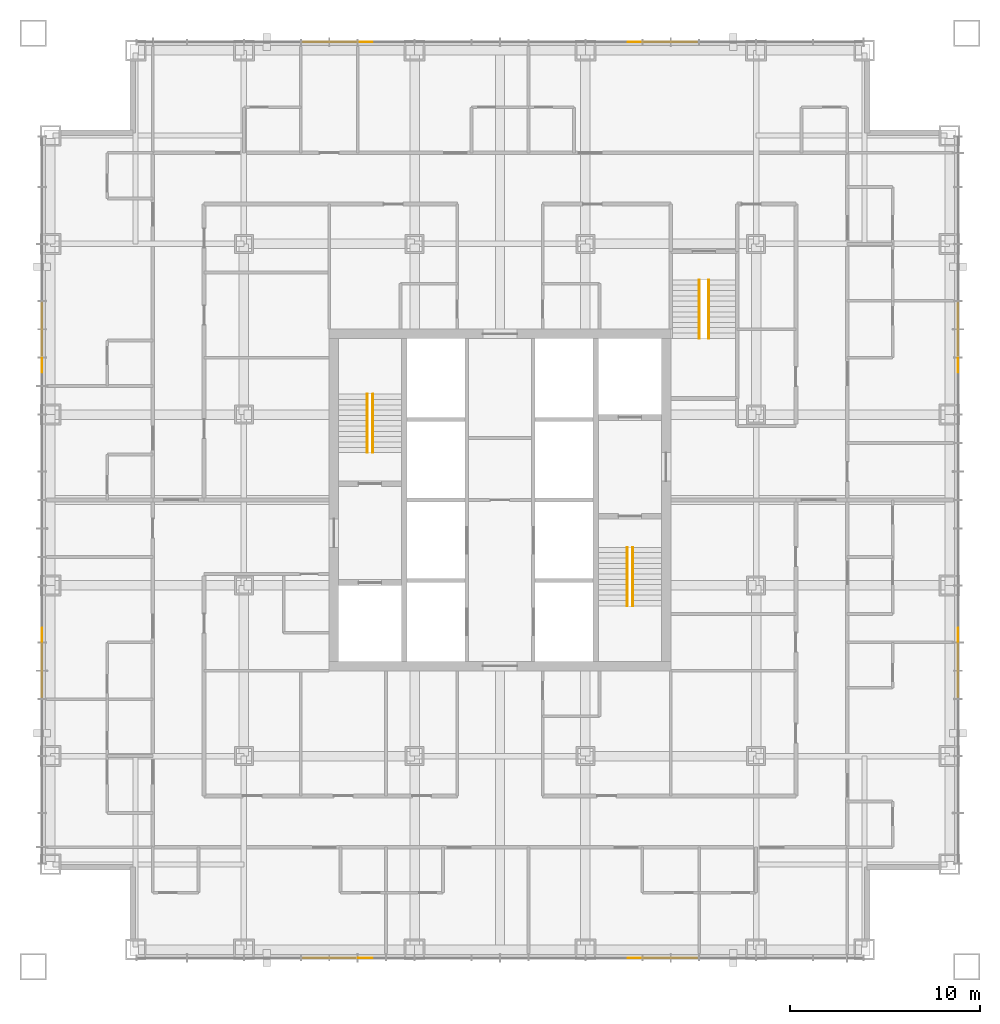
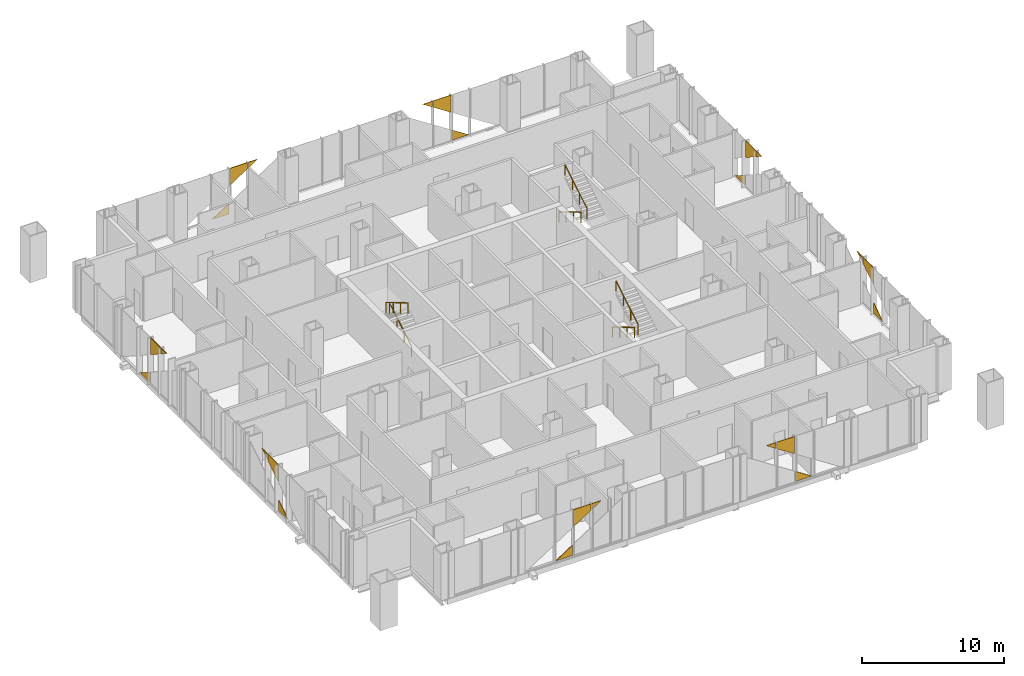
# One storey, part 14 of 14: 24 coverings, 6 railings.
"""IFC4 building model written with IfcOpenShell, lengths in metres."""

from ifc_helpers import new_model, si_unit, direction, frame, origin, origin_2d, place, context, subcontext, project, spatial, polyline, circle, outline, extrude, material, layer, layer_set, type_object, element, save


model = new_model("IFC4")

# Units and contexts
model_context = context("Model", 3, precision=1e-05, world=origin(), true_north=direction((0.0, 1.0)))
body_context = subcontext(model_context, "Body", "Model", "MODEL_VIEW")
ifc_project = project(units=[si_unit("LENGTHUNIT", "METRE"), si_unit("AREAUNIT", "SQUARE_METRE"), si_unit("VOLUMEUNIT", "CUBIC_METRE"), si_unit("PLANEANGLEUNIT", "RADIAN"), si_unit("MASSUNIT", "GRAM", prefix="KILO")], contexts=[model_context])

# Site, building, storey
site_placement = place(None, origin())
site = spatial("IfcSite", under=ifc_project, at=site_placement, CompositionType="ELEMENT")
building_placement = place(site_placement, origin())
building = spatial("IfcBuilding", under=site, at=building_placement, Name="Malebo Sky Hospital", CompositionType="ELEMENT")
storey_placement = place(building_placement, frame((0.0, 0.0, 148.0)))
storey = spatial("IfcBuildingStorey", under=building, at=storey_placement, Name="L35", CompositionType="ELEMENT", Elevation=148.0)

# Coverings
ifc_material_1 = material(Name="Anodised aluminium, natural silver insulated infill panel", Category="aluminium")
ifc_layer = layer(ifc_material_1, 0.0400390625)
ifc_layer_set = layer_set([ifc_layer], Name="BRACE INFILL PANEL 40")
covering_type = type_object("IfcCoveringType", Name="BRACE INFILL PANEL 40", PredefinedType="CLADDING", material=ifc_layer_set)
covering_1_placement = place(storey_placement, frame((50.289306640625, 86.135009765625, 0.099853515625), z_axis=(0.0, 0.0, 1.0), x_axis=(1.0, 0.0, 0.0)))
element("IfcCovering", 1, at=covering_1_placement, inside=storey, type_object=covering_type, Name="Brace infill panel 5.1", PredefinedType="CLADDING", context=body_context, shape_type="SweptSolid", body=[
    extrude(outline(polyline([(-0.67333984375, 0.0), (0.67333984375, 0.0), (0.67333984375, 0.8759765625), (-0.67333984375, 0.0)])), frame((0.0, 0.02001953125, 0.0), z_axis=(0.0, -1.0, 0.0), x_axis=(1.0, 0.0, 0.0)), (0.0, 0.0, 1.0), 0.0400390625),
])
covering_2_placement = place(storey_placement, frame((51.75, 86.135009765625, 2.51708984375), z_axis=(0.0, 0.0, 1.0), x_axis=(1.0, 0.0, 0.0)))
element("IfcCovering", 2, at=covering_2_placement, inside=storey, type_object=covering_type, Name="Brace infill panel 6.1", PredefinedType="CLADDING", context=body_context, shape_type="SweptSolid", body=[
    extrude(outline(polyline([(-0.71240234375, 0.0), (0.71240234375, 0.9267578125), (0.71240234375, 1.472900390625), (-0.71240234375, 1.472900390625), (-0.71240234375, 0.0)])), frame((0.0, 0.02001953125, 0.0), z_axis=(0.0, -1.0, 0.0), x_axis=(1.0, 0.0, 0.0)), (0.0, 0.0, 1.0), 0.0400390625),
])
covering_3_placement = place(storey_placement, frame((52.919921875, 86.135009765625, 3.49267578125), z_axis=(0.0, 0.0, 1.0), x_axis=(1.0, 0.0, 0.0)))
element("IfcCovering", 3, at=covering_3_placement, inside=storey, type_object=covering_type, Name="Brace infill panel 7.1", PredefinedType="CLADDING", context=body_context, shape_type="SweptSolid", body=[
    extrude(outline(polyline([(-0.38232421875, 0.0), (0.38232421875, 0.497314453125), (-0.38232421875, 0.497314453125), (-0.38232421875, 0.0)])), frame((0.0, 0.02001953125, 0.0), z_axis=(0.0, -1.0, 0.0), x_axis=(1.0, 0.0, 0.0)), (0.0, 0.0, 1.0), 0.0400390625),
])
covering_4_placement = place(storey_placement, frame((67.080078125, 86.135009765625, 3.49267578125), z_axis=(0.0, 0.0, 1.0), x_axis=(1.0, 0.0, 0.0)))
element("IfcCovering", 4, at=covering_4_placement, inside=storey, type_object=covering_type, Name="Brace infill panel 12.1", PredefinedType="CLADDING", context=body_context, shape_type="SweptSolid", body=[
    extrude(outline(polyline([(0.38232421875, 0.0), (0.38232421875, 0.497314453125), (-0.38232421875, 0.497314453125), (0.38232421875, 0.0)])), frame((0.0, 0.02001953125, 0.0), z_axis=(0.0, -1.0, 0.0), x_axis=(1.0, 0.0, 0.0)), (0.0, 0.0, 1.0), 0.0400390625),
])
covering_5_placement = place(storey_placement, frame((68.25, 86.135009765625, 2.51708984375), z_axis=(0.0, 0.0, 1.0), x_axis=(1.0, 0.0, 0.0)))
element("IfcCovering", 5, at=covering_5_placement, inside=storey, type_object=covering_type, Name="Brace infill panel 13.1", PredefinedType="CLADDING", context=body_context, shape_type="SweptSolid", body=[
    extrude(outline(polyline([(0.71240234375, 0.0), (0.71240234375, 1.472900390625), (-0.71240234375, 1.472900390625), (-0.71240234375, 0.9267578125), (0.71240234375, 0.0)])), frame((0.0, 0.02001953125, 0.0), z_axis=(0.0, -1.0, 0.0), x_axis=(1.0, 0.0, 0.0)), (0.0, 0.0, 1.0), 0.0400390625),
])
covering_6_placement = place(storey_placement, frame((69.710693359375, 86.135009765625, 0.099853515625), z_axis=(0.0, 0.0, 1.0), x_axis=(1.0, 0.0, 0.0)))
element("IfcCovering", 6, at=covering_6_placement, inside=storey, type_object=covering_type, Name="Brace infill panel 14.1", PredefinedType="CLADDING", context=body_context, shape_type="SweptSolid", body=[
    extrude(outline(polyline([(-0.67333984375, 0.0), (0.67333984375, 0.0), (-0.67333984375, 0.8759765625), (-0.67333984375, 0.0)])), frame((0.0, 0.02001953125, 0.0), z_axis=(0.0, -1.0, 0.0), x_axis=(1.0, 0.0, 0.0)), (0.0, 0.0, 1.0), 0.0400390625),
])
covering_7_placement = place(storey_placement, frame((35.864990234375, 52.289306640625, 0.099853515625), z_axis=(0.0, 0.0, 1.0), x_axis=(0.0, 1.0, 0.0)))
element("IfcCovering", 7, at=covering_7_placement, inside=storey, type_object=covering_type, Name="Brace infill panel 5.1", PredefinedType="CLADDING", context=body_context, shape_type="SweptSolid", body=[
    extrude(outline(polyline([(-0.67333984375, 0.0), (0.67333984375, 0.0), (0.67333984375, 0.8759765625), (-0.67333984375, 0.0)])), frame((0.0, 0.02001953125, 0.0), z_axis=(0.0, -1.0, 0.0), x_axis=(1.0, 0.0, 0.0)), (0.0, 0.0, 1.0), 0.0400390625),
])
covering_8_placement = place(storey_placement, frame((35.864990234375, 53.75, 2.51708984375), z_axis=(0.0, 0.0, 1.0), x_axis=(0.0, 1.0, 0.0)))
element("IfcCovering", 8, at=covering_8_placement, inside=storey, type_object=covering_type, Name="Brace infill panel 6.1", PredefinedType="CLADDING", context=body_context, shape_type="SweptSolid", body=[
    extrude(outline(polyline([(-0.71240234375, 0.0), (0.71240234375, 0.9267578125), (0.71240234375, 1.472900390625), (-0.71240234375, 1.472900390625), (-0.71240234375, 0.0)])), frame((0.0, 0.02001953125, 0.0), z_axis=(0.0, -1.0, 0.0), x_axis=(1.0, 0.0, 0.0)), (0.0, 0.0, 1.0), 0.0400390625),
])
covering_9_placement = place(storey_placement, frame((35.864990234375, 54.919921875, 3.49267578125), z_axis=(0.0, 0.0, 1.0), x_axis=(0.0, 1.0, 0.0)))
element("IfcCovering", 9, at=covering_9_placement, inside=storey, type_object=covering_type, Name="Brace infill panel 7.1", PredefinedType="CLADDING", context=body_context, shape_type="SweptSolid", body=[
    extrude(outline(polyline([(-0.38232421875, 0.0), (0.38232421875, 0.497314453125), (-0.38232421875, 0.497314453125), (-0.38232421875, 0.0)])), frame((0.0, 0.02001953125, 0.0), z_axis=(0.0, -1.0, 0.0), x_axis=(1.0, 0.0, 0.0)), (0.0, 0.0, 1.0), 0.0400390625),
])
covering_10_placement = place(storey_placement, frame((35.864990234375, 69.080078125, 3.49267578125), z_axis=(0.0, 0.0, 1.0), x_axis=(0.0, 1.0, 0.0)))
element("IfcCovering", 10, at=covering_10_placement, inside=storey, type_object=covering_type, Name="Brace infill panel 14.1", PredefinedType="CLADDING", context=body_context, shape_type="SweptSolid", body=[
    extrude(outline(polyline([(0.38232421875, 0.0), (0.38232421875, 0.497314453125), (-0.38232421875, 0.497314453125), (0.38232421875, 0.0)])), frame((0.0, 0.02001953125, 0.0), z_axis=(0.0, -1.0, 0.0), x_axis=(1.0, 0.0, 0.0)), (0.0, 0.0, 1.0), 0.0400390625),
])
covering_11_placement = place(storey_placement, frame((35.864990234375, 70.25, 2.51708984375), z_axis=(0.0, 0.0, 1.0), x_axis=(0.0, 1.0, 0.0)))
element("IfcCovering", 11, at=covering_11_placement, inside=storey, type_object=covering_type, Name="Brace infill panel 15.1", PredefinedType="CLADDING", context=body_context, shape_type="SweptSolid", body=[
    extrude(outline(polyline([(0.71240234375, 0.0), (0.71240234375, 1.472900390625), (-0.71240234375, 1.472900390625), (-0.71240234375, 0.9267578125), (0.71240234375, 0.0)])), frame((0.0, 0.02001953125, 0.0), z_axis=(0.0, -1.0, 0.0), x_axis=(1.0, 0.0, 0.0)), (0.0, 0.0, 1.0), 0.0400390625),
])
covering_12_placement = place(storey_placement, frame((35.864990234375, 71.710693359375, 0.099853515625), z_axis=(0.0, 0.0, 1.0), x_axis=(0.0, 1.0, 0.0)))
element("IfcCovering", 12, at=covering_12_placement, inside=storey, type_object=covering_type, Name="Brace infill panel 16.1", PredefinedType="CLADDING", context=body_context, shape_type="SweptSolid", body=[
    extrude(outline(polyline([(-0.67333984375, 0.0), (0.67333984375, 0.0), (-0.67333984375, 0.8759765625), (-0.67333984375, 0.0)])), frame((0.0, 0.02001953125, 0.0), z_axis=(0.0, -1.0, 0.0), x_axis=(1.0, 0.0, 0.0)), (0.0, 0.0, 1.0), 0.0400390625),
])
covering_13_placement = place(storey_placement, frame((69.710693359375, 37.864990234375, 0.099853515625), z_axis=(0.0, 0.0, 1.0), x_axis=(-1.0, 0.0, 0.0)))
element("IfcCovering", 13, at=covering_13_placement, inside=storey, type_object=covering_type, Name="Brace infill panel 5.1", PredefinedType="CLADDING", context=body_context, shape_type="SweptSolid", body=[
    extrude(outline(polyline([(-0.67333984375, 0.0), (0.67333984375, 0.0), (0.67333984375, 0.8759765625), (-0.67333984375, 0.0)])), frame((0.0, 0.02001953125, 0.0), z_axis=(0.0, -1.0, 0.0), x_axis=(1.0, 0.0, 0.0)), (0.0, 0.0, 1.0), 0.0400390625),
])
covering_14_placement = place(storey_placement, frame((68.25, 37.864990234375, 2.51708984375), z_axis=(0.0, 0.0, 1.0), x_axis=(-1.0, 0.0, 0.0)))
element("IfcCovering", 14, at=covering_14_placement, inside=storey, type_object=covering_type, Name="Brace infill panel 6.1", PredefinedType="CLADDING", context=body_context, shape_type="SweptSolid", body=[
    extrude(outline(polyline([(-0.71240234375, 0.0), (0.71240234375, 0.9267578125), (0.71240234375, 1.472900390625), (-0.71240234375, 1.472900390625), (-0.71240234375, 0.0)])), frame((0.0, 0.02001953125, 0.0), z_axis=(0.0, -1.0, 0.0), x_axis=(1.0, 0.0, 0.0)), (0.0, 0.0, 1.0), 0.0400390625),
])
covering_15_placement = place(storey_placement, frame((67.080078125, 37.864990234375, 3.49267578125), z_axis=(0.0, 0.0, 1.0), x_axis=(-1.0, 0.0, 0.0)))
element("IfcCovering", 15, at=covering_15_placement, inside=storey, type_object=covering_type, Name="Brace infill panel 7.1", PredefinedType="CLADDING", context=body_context, shape_type="SweptSolid", body=[
    extrude(outline(polyline([(-0.38232421875, 0.0), (0.38232421875, 0.497314453125), (-0.38232421875, 0.497314453125), (-0.38232421875, 0.0)])), frame((0.0, 0.02001953125, 0.0), z_axis=(0.0, -1.0, 0.0), x_axis=(1.0, 0.0, 0.0)), (0.0, 0.0, 1.0), 0.0400390625),
])
covering_16_placement = place(storey_placement, frame((52.919921875, 37.864990234375, 3.49267578125), z_axis=(0.0, 0.0, 1.0), x_axis=(-1.0, 0.0, 0.0)))
element("IfcCovering", 16, at=covering_16_placement, inside=storey, type_object=covering_type, Name="Brace infill panel 13.1", PredefinedType="CLADDING", context=body_context, shape_type="SweptSolid", body=[
    extrude(outline(polyline([(0.38232421875, 0.0), (0.38232421875, 0.497314453125), (-0.38232421875, 0.497314453125), (0.38232421875, 0.0)])), frame((0.0, 0.02001953125, 0.0), z_axis=(0.0, -1.0, 0.0), x_axis=(1.0, 0.0, 0.0)), (0.0, 0.0, 1.0), 0.0400390625),
])
covering_17_placement = place(storey_placement, frame((51.75, 37.864990234375, 2.51708984375), z_axis=(0.0, 0.0, 1.0), x_axis=(-1.0, 0.0, 0.0)))
element("IfcCovering", 17, at=covering_17_placement, inside=storey, type_object=covering_type, Name="Brace infill panel 14.1", PredefinedType="CLADDING", context=body_context, shape_type="SweptSolid", body=[
    extrude(outline(polyline([(0.71240234375, 0.0), (0.71240234375, 1.472900390625), (-0.71240234375, 1.472900390625), (-0.71240234375, 0.9267578125), (0.71240234375, 0.0)])), frame((0.0, 0.02001953125, 0.0), z_axis=(0.0, -1.0, 0.0), x_axis=(1.0, 0.0, 0.0)), (0.0, 0.0, 1.0), 0.0400390625),
])
covering_18_placement = place(storey_placement, frame((50.289306640625, 37.864990234375, 0.099853515625), z_axis=(0.0, 0.0, 1.0), x_axis=(-1.0, 0.0, 0.0)))
element("IfcCovering", 18, at=covering_18_placement, inside=storey, type_object=covering_type, Name="Brace infill panel 15.1", PredefinedType="CLADDING", context=body_context, shape_type="SweptSolid", body=[
    extrude(outline(polyline([(-0.67333984375, 0.0), (0.67333984375, 0.0), (-0.67333984375, 0.8759765625), (-0.67333984375, 0.0)])), frame((0.0, 0.02001953125, 0.0), z_axis=(0.0, -1.0, 0.0), x_axis=(1.0, 0.0, 0.0)), (0.0, 0.0, 1.0), 0.0400390625),
])
covering_19_placement = place(storey_placement, frame((84.135009765625, 71.710693359375, 0.099853515625), z_axis=(0.0, 0.0, 1.0), x_axis=(0.0, -1.0, 0.0)))
element("IfcCovering", 19, at=covering_19_placement, inside=storey, type_object=covering_type, Name="Brace infill panel 5.1", PredefinedType="CLADDING", context=body_context, shape_type="SweptSolid", body=[
    extrude(outline(polyline([(-0.67333984375, 0.0), (0.67333984375, 0.0), (0.67333984375, 0.8759765625), (-0.67333984375, 0.0)])), frame((0.0, 0.02001953125, 0.0), z_axis=(0.0, -1.0, 0.0), x_axis=(1.0, 0.0, 0.0)), (0.0, 0.0, 1.0), 0.0400390625),
])
covering_20_placement = place(storey_placement, frame((84.135009765625, 70.25, 2.51708984375), z_axis=(0.0, 0.0, 1.0), x_axis=(0.0, -1.0, 0.0)))
element("IfcCovering", 20, at=covering_20_placement, inside=storey, type_object=covering_type, Name="Brace infill panel 6.1", PredefinedType="CLADDING", context=body_context, shape_type="SweptSolid", body=[
    extrude(outline(polyline([(-0.71240234375, 0.0), (0.71240234375, 0.9267578125), (0.71240234375, 1.472900390625), (-0.71240234375, 1.472900390625), (-0.71240234375, 0.0)])), frame((0.0, 0.02001953125, 0.0), z_axis=(0.0, -1.0, 0.0), x_axis=(1.0, 0.0, 0.0)), (0.0, 0.0, 1.0), 0.0400390625),
])
covering_21_placement = place(storey_placement, frame((84.135009765625, 69.080078125, 3.49267578125), z_axis=(0.0, 0.0, 1.0), x_axis=(0.0, -1.0, 0.0)))
element("IfcCovering", 21, at=covering_21_placement, inside=storey, type_object=covering_type, Name="Brace infill panel 7.1", PredefinedType="CLADDING", context=body_context, shape_type="SweptSolid", body=[
    extrude(outline(polyline([(-0.38232421875, 0.0), (0.38232421875, 0.497314453125), (-0.38232421875, 0.497314453125), (-0.38232421875, 0.0)])), frame((0.0, 0.02001953125, 0.0), z_axis=(0.0, -1.0, 0.0), x_axis=(1.0, 0.0, 0.0)), (0.0, 0.0, 1.0), 0.0400390625),
])
covering_22_placement = place(storey_placement, frame((84.135009765625, 54.919921875, 3.49267578125), z_axis=(0.0, 0.0, 1.0), x_axis=(0.0, -1.0, 0.0)))
element("IfcCovering", 22, at=covering_22_placement, inside=storey, type_object=covering_type, Name="Brace infill panel 13.1", PredefinedType="CLADDING", context=body_context, shape_type="SweptSolid", body=[
    extrude(outline(polyline([(0.38232421875, 0.0), (0.38232421875, 0.497314453125), (-0.38232421875, 0.497314453125), (0.38232421875, 0.0)])), frame((0.0, 0.02001953125, 0.0), z_axis=(0.0, -1.0, 0.0), x_axis=(1.0, 0.0, 0.0)), (0.0, 0.0, 1.0), 0.0400390625),
])
covering_23_placement = place(storey_placement, frame((84.135009765625, 53.75, 2.51708984375), z_axis=(0.0, 0.0, 1.0), x_axis=(0.0, -1.0, 0.0)))
element("IfcCovering", 23, at=covering_23_placement, inside=storey, type_object=covering_type, Name="Brace infill panel 14.1", PredefinedType="CLADDING", context=body_context, shape_type="SweptSolid", body=[
    extrude(outline(polyline([(0.71240234375, 0.0), (0.71240234375, 1.472900390625), (-0.71240234375, 1.472900390625), (-0.71240234375, 0.9267578125), (0.71240234375, 0.0)])), frame((0.0, 0.02001953125, 0.0), z_axis=(0.0, -1.0, 0.0), x_axis=(1.0, 0.0, 0.0)), (0.0, 0.0, 1.0), 0.0400390625),
])
covering_24_placement = place(storey_placement, frame((84.135009765625, 52.289306640625, 0.099853515625), z_axis=(0.0, 0.0, 1.0), x_axis=(0.0, -1.0, 0.0)))
element("IfcCovering", 24, at=covering_24_placement, inside=storey, type_object=covering_type, Name="Brace infill panel 15.1", PredefinedType="CLADDING", context=body_context, shape_type="SweptSolid", body=[
    extrude(outline(polyline([(-0.67333984375, 0.0), (0.67333984375, 0.0), (-0.67333984375, 0.8759765625), (-0.67333984375, 0.0)])), frame((0.0, 0.02001953125, 0.0), z_axis=(0.0, -1.0, 0.0), x_axis=(1.0, 0.0, 0.0)), (0.0, 0.0, 1.0), 0.0400390625),
])

# Railings
ifc_material_2 = material(Name="Stainless steel tube", Category="steel")
railing_type = type_object("IfcRailingType", Name="STAIR HANDRAIL 900", PredefinedType="HANDRAIL", material=ifc_material_2)
railing_1_placement = place(storey_placement, frame((53.300048828125, 64.5, 0.166748046875)))
element("IfcRailing", 25, at=railing_1_placement, inside=storey, type_object=railing_type, Name="Stair handrail S1 flight 1", PredefinedType="HANDRAIL", context=body_context, shape_type="SweptSolid", body=[
    extrude(circle(Radius=0.02392578125, at=origin_2d()), frame((0.0, 0.0, 0.8759765625), z_axis=(0.0, 0.859308565015, 0.511457515432), x_axis=(-1.0, 0.0, 0.0)), (0.0, 0.0, 1.0), 3.58447265625),
    extrude(circle(Radius=0.02099609375, at=origin_2d()), origin(), (0.0, 0.0, 1.0), 0.851806640625),
    extrude(circle(Radius=0.02099609375, at=origin_2d()), frame((0.0, 1.026611328125, 0.611083984375)), (0.0, 0.0, 1.0), 0.851806640625),
    extrude(circle(Radius=0.02099609375, at=origin_2d()), frame((0.0, 2.053466796875, 1.22216796875)), (0.0, 0.0, 1.0), 0.851806640625),
    extrude(circle(Radius=0.02099609375, at=origin_2d()), frame((0.0, 3.080078125, 1.833251953125)), (0.0, 0.0, 1.0), 0.851806640625),
])
for number, where, name in (
    (26, (53.0, 67.580078125, 2.166748046875), "Stair handrail S1 flight 2"),
    (27, (66.699951171875, 59.5, 0.166748046875), "Stair handrail S2 flight 1"),
):
    element("IfcRailing", number, at=place(storey_placement, frame(where)), inside=storey, type_object=railing_type, Name=name, PredefinedType="HANDRAIL", context=body_context, shape_type="SweptSolid", body=[
        extrude(circle(Radius=0.02392578125, at=origin_2d()), frame((0.0, 0.0, 0.8759765625), z_axis=(0.0, -0.859308565015, 0.511457515432), x_axis=(1.0, 0.0, 0.0)), (0.0, 0.0, 1.0), 3.58447265625),
        extrude(circle(Radius=0.02099609375, at=origin_2d()), origin(), (0.0, 0.0, 1.0), 0.851806640625),
        extrude(circle(Radius=0.02099609375, at=origin_2d()), frame((0.0, -1.026611328125, 0.611083984375)), (0.0, 0.0, 1.0), 0.851806640625),
        extrude(circle(Radius=0.02099609375, at=origin_2d()), frame((0.0, -2.053466796875, 1.22216796875)), (0.0, 0.0, 1.0), 0.851806640625),
        extrude(circle(Radius=0.02099609375, at=origin_2d()), frame((0.0, -3.080078125, 1.833251953125)), (0.0, 0.0, 1.0), 0.851806640625),
    ])
railing_2_placement = place(storey_placement, frame((67.0, 56.419921875, 2.166748046875)))
element("IfcRailing", 28, at=railing_2_placement, inside=storey, type_object=railing_type, Name="Stair handrail S2 flight 2", PredefinedType="HANDRAIL", context=body_context, shape_type="SweptSolid", body=[
    extrude(circle(Radius=0.02392578125, at=origin_2d()), frame((0.0, 0.0, 0.8759765625), z_axis=(0.0, 0.859308565015, 0.511457515432), x_axis=(-1.0, 0.0, 0.0)), (0.0, 0.0, 1.0), 3.58447265625),
    extrude(circle(Radius=0.02099609375, at=origin_2d()), origin(), (0.0, 0.0, 1.0), 0.851806640625),
    extrude(circle(Radius=0.02099609375, at=origin_2d()), frame((0.0, 1.026611328125, 0.611083984375)), (0.0, 0.0, 1.0), 0.851806640625),
    extrude(circle(Radius=0.02099609375, at=origin_2d()), frame((0.0, 2.053466796875, 1.22216796875)), (0.0, 0.0, 1.0), 0.851806640625),
    extrude(circle(Radius=0.02099609375, at=origin_2d()), frame((0.0, 3.080078125, 1.833251953125)), (0.0, 0.0, 1.0), 0.851806640625),
])
railing_3_placement = place(storey_placement, frame((70.5, 73.60009765625, 0.166748046875)))
element("IfcRailing", 29, at=railing_3_placement, inside=storey, type_object=railing_type, Name="Stair handrail S3 flight 1", PredefinedType="HANDRAIL", context=body_context, shape_type="SweptSolid", body=[
    extrude(circle(Radius=0.02392578125, at=origin_2d()), frame((0.0, 0.0, 0.8759765625), z_axis=(0.0, -0.859308565015, 0.511457515432), x_axis=(1.0, 0.0, 0.0)), (0.0, 0.0, 1.0), 3.58447265625),
    extrude(circle(Radius=0.02099609375, at=origin_2d()), origin(), (0.0, 0.0, 1.0), 0.851806640625),
    extrude(circle(Radius=0.02099609375, at=origin_2d()), frame((0.0, -1.026611328125, 0.611083984375)), (0.0, 0.0, 1.0), 0.851806640625),
    extrude(circle(Radius=0.02099609375, at=origin_2d()), frame((0.0, -2.053466796875, 1.22216796875)), (0.0, 0.0, 1.0), 0.851806640625),
    extrude(circle(Radius=0.02099609375, at=origin_2d()), frame((0.0, -3.080078125, 1.833251953125)), (0.0, 0.0, 1.0), 0.851806640625),
])
railing_4_placement = place(storey_placement, frame((71.0, 70.52001953125, 2.166748046875)))
element("IfcRailing", 30, at=railing_4_placement, inside=storey, type_object=railing_type, Name="Stair handrail S3 flight 2", PredefinedType="HANDRAIL", context=body_context, shape_type="SweptSolid", body=[
    extrude(circle(Radius=0.02392578125, at=origin_2d()), frame((0.0, 0.0, 0.8759765625), z_axis=(0.0, 0.859308565015, 0.511457515432), x_axis=(-1.0, 0.0, 0.0)), (0.0, 0.0, 1.0), 3.58447265625),
    extrude(circle(Radius=0.02099609375, at=origin_2d()), origin(), (0.0, 0.0, 1.0), 0.851806640625),
    extrude(circle(Radius=0.02099609375, at=origin_2d()), frame((0.0, 1.026611328125, 0.611083984375)), (0.0, 0.0, 1.0), 0.851806640625),
    extrude(circle(Radius=0.02099609375, at=origin_2d()), frame((0.0, 2.053466796875, 1.22216796875)), (0.0, 0.0, 1.0), 0.851806640625),
    extrude(circle(Radius=0.02099609375, at=origin_2d()), frame((0.0, 3.080078125, 1.833251953125)), (0.0, 0.0, 1.0), 0.851806640625),
])

save(model, "model.ifc")
